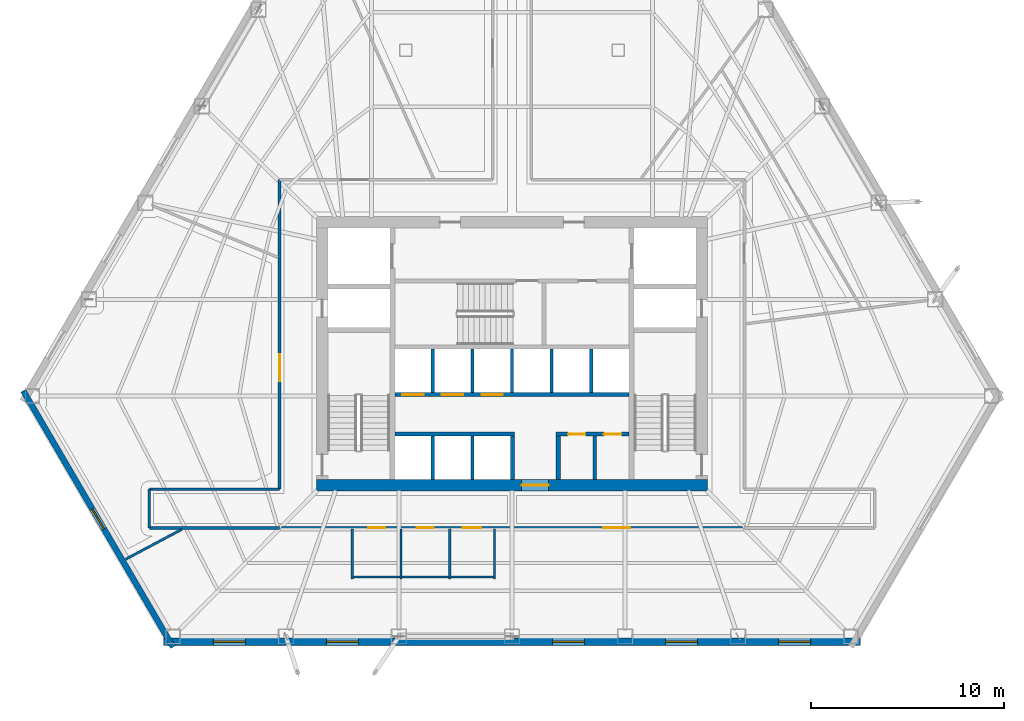
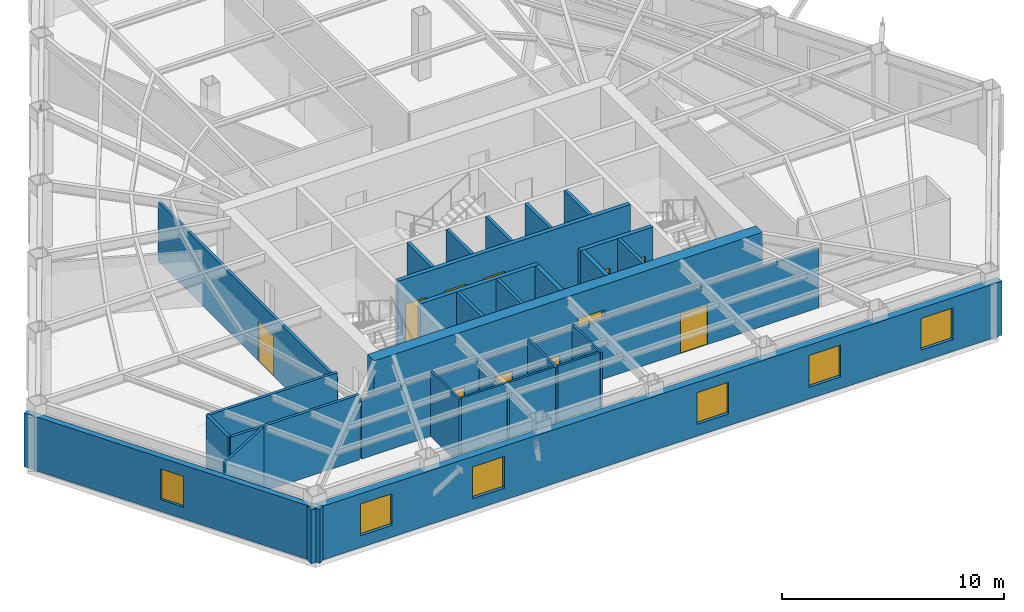
# One storey, part 7 of 13: 27 walls, 11 doors, 6 windows, 17 openings.
"""IFC4 building model written with IfcOpenShell, lengths in metres."""

from ifc_helpers import new_model, si_unit, direction, frame, frame_2d, origin, place, context, subcontext, project, spatial, rectangle, extrude, material, layer, layer_set, type_object, element, fill, save


model = new_model("IFC4")

# Units and contexts
model_context = context("Model", 3, precision=1e-05, world=origin(), true_north=direction((0.0, 1.0)))
body_context = subcontext(model_context, "Body", "Model", "MODEL_VIEW")
ifc_project = project(units=[si_unit("LENGTHUNIT", "METRE"), si_unit("AREAUNIT", "SQUARE_METRE"), si_unit("VOLUMEUNIT", "CUBIC_METRE"), si_unit("PLANEANGLEUNIT", "RADIAN"), si_unit("MASSUNIT", "GRAM", prefix="KILO")], contexts=[model_context])

# Site, building, storey
site_placement = place(None, origin())
site = spatial("IfcSite", under=ifc_project, at=site_placement, CompositionType="ELEMENT")
building_placement = place(site_placement, origin())
building = spatial("IfcBuilding", under=site, at=building_placement, Name="Kavelnor Concourse Tower", CompositionType="ELEMENT")
storey_placement = place(building_placement, frame((0.0, 0.0, 59.89990234375)))
storey = spatial("IfcBuildingStorey", under=building, at=storey_placement, Name="L15", CompositionType="ELEMENT", Elevation=59.89990234375)

# Wall, opening, door
ifc_material_1 = material(Name="Concrete C60/75", Category="concrete")
ifc_layer_1 = layer(ifc_material_1, 0.60009765625, Name="Concrete C60/75")
ifc_layer_set_1 = layer_set([ifc_layer_1], Name="Concrete C60/75")
wall_type_1 = type_object("IfcWallType", Name="WL-CORE-Z1-600", PredefinedType="SOLIDWALL", material=ifc_layer_set_1)
wall_1_placement = place(storey_placement, frame((27.8798828125, 9.300048828125, 0.0), z_axis=(0.0, 0.0, 1.0), x_axis=(1.0, 0.0, 0.0)))
wall_1 = element("IfcWall", 1, at=wall_1_placement, inside=storey, type_object=wall_type_1, Name="L15 Central Core South Shear Wall", PredefinedType="SOLIDWALL", context=body_context, shape_type="SweptSolid", body=[
    extrude(rectangle(XDim=20.240234375, YDim=0.60009765625, at=frame_2d((10.1201171875, 0.0))), origin(), (0.0, 0.0, 1.0), 3.590087890625),
])
opening_1_placement = place(wall_1_placement, frame((10.6201171875, 0.0, 0.0)))
opening_1 = element("IfcOpeningElement", 2, at=opening_1_placement, cuts=wall_1, Name="Opening SD-140", PredefinedType="OPENING", context=body_context, shape_type="SweptSolid", body=[
    extrude(rectangle(XDim=1.39990234375, YDim=2.199951171875, at=frame_2d((0.699951171875, 1.10009765625))), frame((0.0, 0.31005859375, 0.0), z_axis=(0.0, -1.0, 0.0), x_axis=(1.0, 0.0, 0.0)), (0.0, 0.0, 1.0), 0.6201171875),
])
ifc_material_2 = material(Name="Solid-core hardwood timber", Category="wood")
door_type_1 = type_object("IfcDoorType", Name="DR-SUITE-ENTRY-1400", OperationType="NOTDEFINED", PredefinedType="DOOR", material=ifc_material_2)
door_1_placement = place(opening_1_placement, origin())
door_1 = element("IfcDoor", 3, at=door_1_placement, inside=storey, type_object=door_type_1, Name="L15 Passenger Lift Lobby Entry Door", OperationType="SINGLE_SWING_RIGHT", OverallHeight=2.199951171875, OverallWidth=1.39990234375, PredefinedType="DOOR", context=body_context, shape_type="SweptSolid", body=[
    extrude(rectangle(XDim=1.39990234375, YDim=2.199951171875, at=frame_2d((0.699951171875, 1.10009765625))), frame((0.0, 0.02490234375, 0.0), z_axis=(0.0, -1.0, 0.0), x_axis=(1.0, 0.0, 0.0)), (0.0, 0.0, 1.0), 0.050048828125),
])
fill(opening_1, door_1)

# Wall, opening, window
ifc_material_3 = material(Name="Buff ironspot clay face brick masonry", Category="masonry")
ifc_layer_2 = layer(ifc_material_3, 0.300048828125, Name="Buff ironspot clay face brick masonry")
ifc_layer_set_2 = layer_set([ifc_layer_2], Name="Buff ironspot clay face brick masonry")
wall_type_2 = type_object("IfcWallType", Name="WL-EXT-BUFF-BRICK-FOLD-300", PredefinedType="STANDARD", material=ifc_layer_set_2)
wall_2_placement = place(storey_placement, frame((20.474853515625, 0.935791015625, 0.0), z_axis=(0.0, 0.0, 1.0), x_axis=(-0.504699139316, 0.863295302184, 0.0)))
wall_2 = element("IfcWall", 4, at=wall_2_placement, inside=storey, type_object=wall_type_2, Name="L15 Exterior Brick Facade Wall E2", PredefinedType="STANDARD", context=body_context, shape_type="SweptSolid", body=[
    extrude(rectangle(XDim=15.356689453125, YDim=0.300048828125, at=frame_2d((7.67822265625, 0.0))), origin(), (0.0, 0.0, 1.0), 2.97021484375),
])
opening_2_placement = place(wall_2_placement, frame((7.078369140625, 0.0, 0.64990234375)))
opening_2 = element("IfcOpeningElement", 5, at=opening_2_placement, cuts=wall_2, Name="Opening W-05", PredefinedType="OPENING", context=body_context, shape_type="SweptSolid", body=[
    extrude(rectangle(XDim=1.199951171875, YDim=1.699951171875, at=frame_2d((0.60009765625, 0.85009765625))), frame((0.0, 0.16015625, 0.0), z_axis=(0.0, -1.0, 0.0), x_axis=(1.0, 0.0, 0.0)), (0.0, 0.0, 1.0), 0.320068359375),
])
ifc_material_4 = material(Name="Double low-E argon insulated glazing", Category="glass")
window_type_1 = type_object("IfcWindowType", Name="WIN-FOLD-1200", PartitioningType="SINGLE_PANEL", PredefinedType="WINDOW", material=ifc_material_4)
window_1_placement = place(opening_2_placement, origin())
window_1 = element("IfcWindow", 6, at=window_1_placement, inside=storey, type_object=window_type_1, Name="L15 Chamfer-Fold Facet Window C1", OverallHeight=1.699951171875, OverallWidth=1.199951171875, PartitioningType="SINGLE_PANEL", PredefinedType="WINDOW", context=body_context, shape_type="SweptSolid", body=[
    extrude(rectangle(XDim=1.199951171875, YDim=1.699951171875, at=frame_2d((0.60009765625, 0.85009765625))), frame((0.0, 0.030029296875, 0.0), z_axis=(0.0, -1.0, 0.0), x_axis=(1.0, 0.0, 0.0)), (0.0, 0.0, 1.0), 0.06005859375),
])
fill(opening_2, window_1)

# Wall, openings, windows
ifc_material_5 = material(Name="Red-ochre clay face brick masonry", Category="masonry")
ifc_layer_3 = layer(ifc_material_5, 0.3798828125, Name="Red-ochre clay face brick masonry")
ifc_layer_set_3 = layer_set([ifc_layer_3], Name="Red-ochre clay face brick masonry")
wall_type_3 = type_object("IfcWallType", Name="WL-EXT-RED-BRICK-PIER-380", PredefinedType="STANDARD", material=ifc_layer_set_3)
wall_3_placement = place(storey_placement, frame((56.00732421875, 1.21240234375, 0.0), z_axis=(0.0, 0.0, 1.0), x_axis=(-1.0, 0.0, 0.0)))
wall_3 = element("IfcWall", 7, at=wall_3_placement, inside=storey, type_object=wall_type_3, Name="L15 Exterior Brick Facade Wall E3", PredefinedType="STANDARD", context=body_context, shape_type="SweptSolid", body=[
    extrude(rectangle(XDim=36.0146484375, YDim=0.3798828125, at=frame_2d((18.00732421875, 0.0))), origin(), (0.0, 0.0, 1.0), 2.97021484375),
])
opening_3_placement = place(wall_3_placement, frame((31.79248046875, 0.0, 0.64990234375)))
opening_3 = element("IfcOpeningElement", 8, at=opening_3_placement, cuts=wall_3, Name="Opening W-01", PredefinedType="OPENING", context=body_context, shape_type="SweptSolid", body=[
    extrude(rectangle(XDim=1.64990234375, YDim=1.75, at=frame_2d((0.824951171875, 0.875))), frame((0.0, 0.199951171875, 0.0), z_axis=(0.0, -1.0, 0.0), x_axis=(1.0, 0.0, 0.0)), (0.0, 0.0, 1.0), 0.39990234375),
])
opening_4_placement = place(wall_3_placement, frame((25.948486328125, 0.0, 0.64990234375)))
opening_4 = element("IfcOpeningElement", 9, at=opening_4_placement, cuts=wall_3, Name="Opening W-01", PredefinedType="OPENING", context=body_context, shape_type="SweptSolid", body=[
    extrude(rectangle(XDim=1.64990234375, YDim=1.75, at=frame_2d((0.824951171875, 0.875))), frame((0.0, 0.199951171875, 0.0), z_axis=(0.0, -1.0, 0.0), x_axis=(1.0, 0.0, 0.0)), (0.0, 0.0, 1.0), 0.39990234375),
])
opening_5_placement = place(wall_3_placement, frame((14.260498046875, 0.0, 0.64990234375)))
opening_5 = element("IfcOpeningElement", 10, at=opening_5_placement, cuts=wall_3, Name="Opening W-01", PredefinedType="OPENING", context=body_context, shape_type="SweptSolid", body=[
    extrude(rectangle(XDim=1.64990234375, YDim=1.75, at=frame_2d((0.824951171875, 0.875))), frame((0.0, 0.199951171875, 0.0), z_axis=(0.0, -1.0, 0.0), x_axis=(1.0, 0.0, 0.0)), (0.0, 0.0, 1.0), 0.39990234375),
])
opening_6_placement = place(wall_3_placement, frame((8.41650390625, 0.0, 0.64990234375)))
opening_6 = element("IfcOpeningElement", 11, at=opening_6_placement, cuts=wall_3, Name="Opening W-01", PredefinedType="OPENING", context=body_context, shape_type="SweptSolid", body=[
    extrude(rectangle(XDim=1.64990234375, YDim=1.75, at=frame_2d((0.824951171875, 0.875))), frame((0.0, 0.199951171875, 0.0), z_axis=(0.0, -1.0, 0.0), x_axis=(1.0, 0.0, 0.0)), (0.0, 0.0, 1.0), 0.39990234375),
])
opening_7_placement = place(wall_3_placement, frame((2.572509765625, 0.0, 0.64990234375)))
opening_7 = element("IfcOpeningElement", 12, at=opening_7_placement, cuts=wall_3, Name="Opening W-01", PredefinedType="OPENING", context=body_context, shape_type="SweptSolid", body=[
    extrude(rectangle(XDim=1.64990234375, YDim=1.75, at=frame_2d((0.824951171875, 0.875))), frame((0.0, 0.199951171875, 0.0), z_axis=(0.0, -1.0, 0.0), x_axis=(1.0, 0.0, 0.0)), (0.0, 0.0, 1.0), 0.39990234375),
])
window_type_2 = type_object("IfcWindowType", Name="WIN-PIER-Z1-1800", PartitioningType="SINGLE_PANEL", PredefinedType="WINDOW", material=ifc_material_4)
window_2_placement = place(opening_3_placement, origin())
window_2 = element("IfcWindow", 13, at=window_2_placement, inside=storey, type_object=window_type_2, Name="L15 Deep-Set Brick Pier Window F1-B0", OverallHeight=1.75, OverallWidth=1.64990234375, PartitioningType="SINGLE_PANEL", PredefinedType="WINDOW", context=body_context, shape_type="SweptSolid", body=[
    extrude(rectangle(XDim=1.64990234375, YDim=1.75, at=frame_2d((0.824951171875, 0.875))), frame((0.0, 0.030029296875, 0.0), z_axis=(0.0, -1.0, 0.0), x_axis=(1.0, 0.0, 0.0)), (0.0, 0.0, 1.0), 0.06005859375),
])
fill(opening_3, window_2)
window_3_placement = place(opening_4_placement, origin())
window_3 = element("IfcWindow", 14, at=window_3_placement, inside=storey, type_object=window_type_2, Name="L15 Deep-Set Brick Pier Window F1-B1", OverallHeight=1.75, OverallWidth=1.64990234375, PartitioningType="SINGLE_PANEL", PredefinedType="WINDOW", context=body_context, shape_type="SweptSolid", body=[
    extrude(rectangle(XDim=1.64990234375, YDim=1.75, at=frame_2d((0.824951171875, 0.875))), frame((0.0, 0.030029296875, 0.0), z_axis=(0.0, -1.0, 0.0), x_axis=(1.0, 0.0, 0.0)), (0.0, 0.0, 1.0), 0.06005859375),
])
fill(opening_4, window_3)
window_4_placement = place(opening_5_placement, origin())
window_4 = element("IfcWindow", 15, at=window_4_placement, inside=storey, type_object=window_type_2, Name="L15 Deep-Set Brick Pier Window F1-B3", OverallHeight=1.75, OverallWidth=1.64990234375, PartitioningType="SINGLE_PANEL", PredefinedType="WINDOW", context=body_context, shape_type="SweptSolid", body=[
    extrude(rectangle(XDim=1.64990234375, YDim=1.75, at=frame_2d((0.824951171875, 0.875))), frame((0.0, 0.030029296875, 0.0), z_axis=(0.0, -1.0, 0.0), x_axis=(1.0, 0.0, 0.0)), (0.0, 0.0, 1.0), 0.06005859375),
])
fill(opening_5, window_4)
window_5_placement = place(opening_6_placement, origin())
window_5 = element("IfcWindow", 16, at=window_5_placement, inside=storey, type_object=window_type_2, Name="L15 Deep-Set Brick Pier Window F1-B4", OverallHeight=1.75, OverallWidth=1.64990234375, PartitioningType="SINGLE_PANEL", PredefinedType="WINDOW", context=body_context, shape_type="SweptSolid", body=[
    extrude(rectangle(XDim=1.64990234375, YDim=1.75, at=frame_2d((0.824951171875, 0.875))), frame((0.0, 0.030029296875, 0.0), z_axis=(0.0, -1.0, 0.0), x_axis=(1.0, 0.0, 0.0)), (0.0, 0.0, 1.0), 0.06005859375),
])
fill(opening_6, window_5)
window_6_placement = place(opening_7_placement, origin())
window_6 = element("IfcWindow", 17, at=window_6_placement, inside=storey, type_object=window_type_2, Name="L15 Deep-Set Brick Pier Window F1-B5", OverallHeight=1.75, OverallWidth=1.64990234375, PartitioningType="SINGLE_PANEL", PredefinedType="WINDOW", context=body_context, shape_type="SweptSolid", body=[
    extrude(rectangle(XDim=1.64990234375, YDim=1.75, at=frame_2d((0.824951171875, 0.875))), frame((0.0, 0.030029296875, 0.0), z_axis=(0.0, -1.0, 0.0), x_axis=(1.0, 0.0, 0.0)), (0.0, 0.0, 1.0), 0.06005859375),
])
fill(opening_7, window_6)

# Wall
ifc_material_6 = material(Name="Gypsum plasterboard on light-gauge steel studs", Category="steel")
ifc_layer_4 = layer(ifc_material_6, 0.14501953125, Name="Gypsum plasterboard on light-gauge steel studs")
ifc_layer_set_4 = layer_set([ifc_layer_4], Name="Gypsum plasterboard on light-gauge steel studs")
wall_type_4 = type_object("IfcWallType", Name="WL-INT-CORR-145", PredefinedType="PARTITIONING", material=ifc_layer_set_4)
wall_4_placement = place(storey_placement, frame((19.246337890625, 9.10009765625, 0.0), z_axis=(0.0, 0.0, 1.0), x_axis=(1.0, 0.0, 0.0)))
element("IfcWall", 18, at=wall_4_placement, inside=storey, type_object=wall_type_4, Name="L15 Corridor Wall WL-L15-CR-01", PredefinedType="PARTITIONING", context=body_context, shape_type="SweptSolid", body=[
    extrude(rectangle(XDim=6.733642578125, YDim=0.14501953125, at=frame_2d((3.36669921875, 0.0))), origin(), (0.0, 0.0, 1.0), 3.590087890625),
])

# Wall, opening, door
wall_5_placement = place(storey_placement, frame((25.97998046875, 9.10009765625, 0.0), z_axis=(0.0, 0.0, 1.0), x_axis=(0.0, 1.0, 0.0)))
wall_5 = element("IfcWall", 19, at=wall_5_placement, inside=storey, type_object=wall_type_4, Name="L15 Corridor Wall WL-L15-CR-02", PredefinedType="PARTITIONING", context=body_context, shape_type="SweptSolid", body=[
    extrude(rectangle(XDim=16.0, YDim=0.14501953125, at=frame_2d((8.0, 0.0))), origin(), (0.0, 0.0, 1.0), 3.278076171875),
])
opening_8_placement = place(wall_5_placement, frame((5.574951171875, 0.0, 0.0)))
opening_8 = element("IfcOpeningElement", 20, at=opening_8_placement, cuts=wall_5, Name="Opening SD-140", PredefinedType="OPENING", context=body_context, shape_type="SweptSolid", body=[
    extrude(rectangle(XDim=1.39990234375, YDim=2.199951171875, at=frame_2d((0.699951171875, 1.10009765625))), frame((0.0, 0.08251953125, 0.0), z_axis=(0.0, -1.0, 0.0), x_axis=(1.0, 0.0, 0.0)), (0.0, 0.0, 1.0), 0.1650390625),
])
door_2_placement = place(opening_8_placement, origin())
door_2 = element("IfcDoor", 21, at=door_2_placement, inside=storey, type_object=door_type_1, Name="L15 Architectural Design Studio 05 Door", OperationType="SINGLE_SWING_LEFT", OverallHeight=2.199951171875, OverallWidth=1.39990234375, PredefinedType="DOOR", context=body_context, shape_type="SweptSolid", body=[
    extrude(rectangle(XDim=1.39990234375, YDim=2.199951171875, at=frame_2d((0.699951171875, 1.10009765625))), frame((0.0, 0.02490234375, 0.0), z_axis=(0.0, -1.0, 0.0), x_axis=(1.0, 0.0, 0.0)), (0.0, 0.0, 1.0), 0.050048828125),
])
fill(opening_8, door_2)

# Wall, openings, doors
wall_6_placement = place(storey_placement, frame((49.919921875, 7.10009765625, 0.0), z_axis=(0.0, 0.0, 1.0), x_axis=(-1.0, 0.0, 0.0)))
wall_6 = element("IfcWall", 22, at=wall_6_placement, inside=storey, type_object=wall_type_4, Name="L15 Corridor Wall WL-L15-CR-12", PredefinedType="PARTITIONING", context=body_context, shape_type="SweptSolid", body=[
    extrude(rectangle(XDim=23.83984375, YDim=0.14501953125, at=frame_2d((11.919921875, 0.0))), origin(), (0.0, 0.0, 1.0), 3.278076171875),
])
opening_9_placement = place(wall_6_placement, frame((18.47998046875, 0.0, 0.0)))
opening_9 = element("IfcOpeningElement", 23, at=opening_9_placement, cuts=wall_6, Name="Opening WD-088", PredefinedType="OPENING", context=body_context, shape_type="SweptSolid", body=[
    extrude(rectangle(XDim=0.8798828125, YDim=2.10009765625, at=frame_2d((0.43994140625, 1.050048828125))), frame((0.0, 0.08251953125, 0.0), z_axis=(0.0, -1.0, 0.0), x_axis=(1.0, 0.0, 0.0)), (0.0, 0.0, 1.0), 0.1650390625),
])
opening_10_placement = place(wall_6_placement, frame((15.9599609375, 0.0, 0.0)))
opening_10 = element("IfcOpeningElement", 24, at=opening_10_placement, cuts=wall_6, Name="Opening WD-088", PredefinedType="OPENING", context=body_context, shape_type="SweptSolid", body=[
    extrude(rectangle(XDim=0.8798828125, YDim=2.10009765625, at=frame_2d((0.43994140625, 1.050048828125))), frame((0.0, 0.08251953125, 0.0), z_axis=(0.0, -1.0, 0.0), x_axis=(1.0, 0.0, 0.0)), (0.0, 0.0, 1.0), 0.1650390625),
])
opening_11_placement = place(wall_6_placement, frame((13.5, 0.0, 0.0)))
opening_11 = element("IfcOpeningElement", 25, at=opening_11_placement, cuts=wall_6, Name="Opening WD-096", PredefinedType="OPENING", context=body_context, shape_type="SweptSolid", body=[
    extrude(rectangle(XDim=0.9599609375, YDim=2.10009765625, at=frame_2d((0.47998046875, 1.050048828125))), frame((0.0, 0.08251953125, 0.0), z_axis=(0.0, -1.0, 0.0), x_axis=(1.0, 0.0, 0.0)), (0.0, 0.0, 1.0), 0.1650390625),
])
opening_12_placement = place(wall_6_placement, frame((5.800537109375, 0.0, 0.0)))
opening_12 = element("IfcOpeningElement", 26, at=opening_12_placement, cuts=wall_6, Name="Opening SD-140", PredefinedType="OPENING", context=body_context, shape_type="SweptSolid", body=[
    extrude(rectangle(XDim=1.39990234375, YDim=2.199951171875, at=frame_2d((0.699951171875, 1.10009765625))), frame((0.0, 0.08251953125, 0.0), z_axis=(0.0, -1.0, 0.0), x_axis=(1.0, 0.0, 0.0)), (0.0, 0.0, 1.0), 0.1650390625),
])
door_3_placement = place(opening_12_placement, origin())
door_3 = element("IfcDoor", 27, at=door_3_placement, inside=storey, type_object=door_type_1, Name="L15 Architectural Design Studio 06 Door", OperationType="SINGLE_SWING_RIGHT", OverallHeight=2.199951171875, OverallWidth=1.39990234375, PredefinedType="DOOR", context=body_context, shape_type="SweptSolid", body=[
    extrude(rectangle(XDim=1.39990234375, YDim=2.199951171875, at=frame_2d((0.699951171875, 1.10009765625))), frame((0.0, 0.02490234375, 0.0), z_axis=(0.0, -1.0, 0.0), x_axis=(1.0, 0.0, 0.0)), (0.0, 0.0, 1.0), 0.050048828125),
])
fill(opening_12, door_3)
door_type_2 = type_object("IfcDoorType", Name="DR-WC-ACC-960", OperationType="NOTDEFINED", PredefinedType="DOOR", material=ifc_material_2)
door_4_placement = place(opening_11_placement, origin())
door_4 = element("IfcDoor", 28, at=door_4_placement, inside=storey, type_object=door_type_2, Name="L15 Accessible WC Door", OperationType="SINGLE_SWING_LEFT", OverallHeight=2.10009765625, OverallWidth=0.9599609375, PredefinedType="DOOR", context=body_context, shape_type="SweptSolid", body=[
    extrude(rectangle(XDim=0.9599609375, YDim=2.10009765625, at=frame_2d((0.47998046875, 1.050048828125))), frame((0.0, 0.02490234375, 0.0), z_axis=(0.0, -1.0, 0.0), x_axis=(1.0, 0.0, 0.0)), (0.0, 0.0, 1.0), 0.050048828125),
])
fill(opening_11, door_4)
door_type_3 = type_object("IfcDoorType", Name="DR-WC-STD-880", OperationType="NOTDEFINED", PredefinedType="DOOR", material=ifc_material_2)
door_5_placement = place(opening_9_placement, origin())
door_5 = element("IfcDoor", 29, at=door_5_placement, inside=storey, type_object=door_type_3, Name="L15 Male WC Door", OperationType="SINGLE_SWING_LEFT", OverallHeight=2.10009765625, OverallWidth=0.8798828125, PredefinedType="DOOR", context=body_context, shape_type="SweptSolid", body=[
    extrude(rectangle(XDim=0.8798828125, YDim=2.10009765625, at=frame_2d((0.43994140625, 1.050048828125))), frame((0.0, 0.02490234375, 0.0), z_axis=(0.0, -1.0, 0.0), x_axis=(1.0, 0.0, 0.0)), (0.0, 0.0, 1.0), 0.050048828125),
])
fill(opening_9, door_5)
door_6_placement = place(opening_10_placement, origin())
door_6 = element("IfcDoor", 30, at=door_6_placement, inside=storey, type_object=door_type_3, Name="L15 Female WC Door", OperationType="SINGLE_SWING_RIGHT", OverallHeight=2.10009765625, OverallWidth=0.8798828125, PredefinedType="DOOR", context=body_context, shape_type="SweptSolid", body=[
    extrude(rectangle(XDim=0.8798828125, YDim=2.10009765625, at=frame_2d((0.43994140625, 1.050048828125))), frame((0.0, 0.02490234375, 0.0), z_axis=(0.0, -1.0, 0.0), x_axis=(1.0, 0.0, 0.0)), (0.0, 0.0, 1.0), 0.050048828125),
])
fill(opening_10, door_6)

# Walls
wall_7_placement = place(storey_placement, frame((25.97998046875, 7.10009765625, 0.0), z_axis=(0.0, 0.0, 1.0), x_axis=(-1.0, 0.0, 0.0)))
element("IfcWall", 31, at=wall_7_placement, inside=storey, type_object=wall_type_4, Name="L15 Corridor Wall WL-L15-CR-13", PredefinedType="PARTITIONING", context=body_context, shape_type="SweptSolid", body=[
    extrude(rectangle(XDim=6.733642578125, YDim=0.14501953125, at=frame_2d((3.36669921875, 0.0))), origin(), (0.0, 0.0, 1.0), 3.590087890625),
])
wall_8_placement = place(storey_placement, frame((19.246337890625, 7.10009765625, 0.0), z_axis=(0.0, 0.0, 1.0), x_axis=(0.0, 1.0, 0.0)))
element("IfcWall", 32, at=wall_8_placement, inside=storey, type_object=wall_type_4, Name="L15 Corridor Wall WL-L15-CR-14", PredefinedType="PARTITIONING", context=body_context, shape_type="SweptSolid", body=[
    extrude(rectangle(XDim=2.0, YDim=0.14501953125, at=frame_2d((1.0, 0.0))), origin(), (0.0, 0.0, 1.0), 3.590087890625),
])
ifc_layer_5 = layer(ifc_material_6, 0.1650390625, Name="Gypsum plasterboard on light-gauge steel studs")
ifc_layer_set_5 = layer_set([ifc_layer_5], Name="Gypsum plasterboard on light-gauge steel studs")
wall_type_5 = type_object("IfcWallType", Name="WL-INT-FIRE-165", PredefinedType="PARTITIONING", material=ifc_layer_set_5)
for number, where, z_axis, x_axis, name in (
    (33, (33.89990234375, 9.60009765625, 0.0), (0.0, 0.0, 1.0), (0.0, 1.0, 0.0), "L15 Lift Shaft Divider LP7"),
    (34, (35.949951171875, 9.60009765625, 0.0), (0.0, 0.0, 1.0), (0.0, 1.0, 0.0), "L15 Lift Shaft Divider LP8"),
    (35, (33.89990234375, 14.10009765625, 0.0), (0.0, 0.0, 1.0), (0.0, 1.0, 0.0), "L15 Lift Shaft Divider LP1"),
    (36, (35.949951171875, 14.10009765625, 0.0), (0.0, 0.0, 1.0), (0.0, 1.0, 0.0), "L15 Lift Shaft Divider LP2"),
    (37, (38.0, 14.10009765625, 0.0), (0.0, 0.0, 1.0), (0.0, 1.0, 0.0), "L15 Lift Shaft Divider LP3"),
    (38, (40.050048828125, 14.10009765625, 0.0), (0.0, 0.0, 1.0), (0.0, 1.0, 0.0), "L15 Lift Shaft Divider LP4"),
    (39, (42.10009765625, 14.10009765625, 0.0), (0.0, 0.0, 1.0), (0.0, 1.0, 0.0), "L15 Lift Shaft Divider LP5"),
    (40, (42.280029296875, 9.60009765625, 0.0), (0.0, 0.0, 1.0), (0.0, 1.0, 0.0), "L15 Core Support Divider"),
):
    element("IfcWall", number, at=place(storey_placement, frame(where, z_axis=z_axis, x_axis=x_axis)), inside=storey, type_object=wall_type_5, Name=name, PredefinedType="PARTITIONING", context=body_context, shape_type="SweptSolid", body=[
        extrude(rectangle(XDim=2.239990234375, YDim=0.1650390625, at=frame_2d((1.1201171875, 0.0))), origin(), (0.0, 0.0, 1.0), 3.590087890625),
    ])
ifc_layer_6 = layer(ifc_material_6, 0.125, Name="Gypsum plasterboard on light-gauge steel studs")
ifc_layer_set_6 = layer_set([ifc_layer_6], Name="Gypsum plasterboard on light-gauge steel studs")
wall_type_6 = type_object("IfcWallType", Name="WL-INT-SUITE-125", PredefinedType="PARTITIONING", material=ifc_layer_set_6)
wall_9_placement = place(storey_placement, frame((20.922119140625, 7.01953125, 0.0), z_axis=(0.0, 0.0, 1.0), x_axis=(-0.88293664267, -0.469492156517, 0.0)))
element("IfcWall", 41, at=wall_9_placement, inside=storey, type_object=wall_type_6, Name="L15 Radial Suite Partition 05", PredefinedType="PARTITIONING", context=body_context, shape_type="SweptSolid", body=[
    extrude(rectangle(XDim=3.284423828125, YDim=0.125, at=frame_2d((1.64208984375, 0.0))), origin(), (0.0, 0.0, 1.0), 3.590087890625),
])
ifc_layer_7 = layer(ifc_material_6, 0.110107421875, Name="Gypsum plasterboard on light-gauge steel studs")
ifc_layer_set_7 = layer_set([ifc_layer_7], Name="Gypsum plasterboard on light-gauge steel studs")
wall_type_7 = type_object("IfcWallType", Name="WL-INT-WC-110", PredefinedType="PLUMBINGWALL", material=ifc_layer_set_7)
wall_10_placement = place(storey_placement, frame((29.739990234375, 4.449951171875, 0.0), z_axis=(0.0, 0.0, 1.0), x_axis=(0.0, 1.0, 0.0)))
element("IfcWall", 42, at=wall_10_placement, inside=storey, type_object=wall_type_7, Name="L15 Sanitary Partition WL-L15-WC-W", PredefinedType="PLUMBINGWALL", context=body_context, shape_type="SweptSolid", body=[
    extrude(rectangle(XDim=2.580078125, YDim=0.110107421875, at=frame_2d((1.2900390625, 0.0))), origin(), (0.0, 0.0, 1.0), 3.590087890625),
])
wall_11_placement = place(storey_placement, frame((32.260009765625, 4.449951171875, 0.0), z_axis=(0.0, 0.0, 1.0), x_axis=(0.0, 1.0, 0.0)))
element("IfcWall", 43, at=wall_11_placement, inside=storey, type_object=wall_type_7, Name="L15 Sanitary Partition WL-L15-WC-D1", PredefinedType="PLUMBINGWALL", context=body_context, shape_type="SweptSolid", body=[
    extrude(rectangle(XDim=2.580078125, YDim=0.110107421875, at=frame_2d((1.2900390625, 0.0))), origin(), (0.0, 0.0, 1.0), 3.05712890625),
])
for number, where, z_axis, x_axis, name in (
    (44, (34.780029296875, 4.449951171875, 0.0), (0.0, 0.0, 1.0), (0.0, 1.0, 0.0), "L15 Sanitary Partition WL-L15-WC-D2"),
    (45, (37.10009765625, 4.449951171875, 0.0), (0.0, 0.0, 1.0), (0.0, 1.0, 0.0), "L15 Sanitary Partition WL-L15-WC-E"),
):
    element("IfcWall", number, at=place(storey_placement, frame(where, z_axis=z_axis, x_axis=x_axis)), inside=storey, type_object=wall_type_7, Name=name, PredefinedType="PLUMBINGWALL", context=body_context, shape_type="SweptSolid", body=[
        extrude(rectangle(XDim=2.580078125, YDim=0.110107421875, at=frame_2d((1.2900390625, 0.0))), origin(), (0.0, 0.0, 1.0), 3.590087890625),
    ])
wall_12_placement = place(storey_placement, frame((29.68994140625, 4.550048828125, 0.0), z_axis=(0.0, 0.0, 1.0), x_axis=(1.0, 0.0, 0.0)))
element("IfcWall", 46, at=wall_12_placement, inside=storey, type_object=wall_type_7, Name="L15 Sanitary Partition WL-L15-WC-S", PredefinedType="PLUMBINGWALL", context=body_context, shape_type="SweptSolid", body=[
    extrude(rectangle(XDim=7.4599609375, YDim=0.110107421875, at=frame_2d((3.72998046875, 0.0))), origin(), (0.0, 0.0, 1.0), 3.590087890625),
])

# Wall, openings, doors
ifc_material_7 = material(Name="Concrete C50/60", Category="concrete")
ifc_layer_8 = layer(ifc_material_7, 0.219970703125, Name="Concrete C50/60")
ifc_layer_set_8 = layer_set([ifc_layer_8], Name="Concrete C50/60")
wall_type_8 = type_object("IfcWallType", Name="WL-SHAFT-220", PredefinedType="SOLIDWALL", material=ifc_layer_set_8)
wall_13_placement = place(storey_placement, frame((31.93994140625, 13.989990234375, 0.0), z_axis=(0.0, 0.0, 1.0), x_axis=(1.0, 0.0, 0.0)))
wall_13 = element("IfcWall", 47, at=wall_13_placement, inside=storey, type_object=wall_type_8, Name="L15 North Lift Row Shaft Wall", PredefinedType="SOLIDWALL", context=body_context, shape_type="SweptSolid", body=[
    extrude(rectangle(XDim=12.1201171875, YDim=0.219970703125, at=frame_2d((6.06005859375, 0.0))), origin(), (0.0, 0.0, 1.0), 3.590087890625),
])
opening_13_placement = place(wall_13_placement, frame((0.385009765625, 0.0, 0.0)))
opening_13 = element("IfcOpeningElement", 48, at=opening_13_placement, cuts=wall_13, Name="Opening LD-110", PredefinedType="OPENING", context=body_context, shape_type="SweptSolid", body=[
    extrude(rectangle(XDim=1.10009765625, YDim=2.199951171875, at=frame_2d((0.550048828125, 1.10009765625))), frame((0.0, 0.1201171875, 0.0), z_axis=(0.0, -1.0, 0.0), x_axis=(1.0, 0.0, 0.0)), (0.0, 0.0, 1.0), 0.239990234375),
])
opening_14_placement = place(wall_13_placement, frame((2.43505859375, 0.0, 0.0)))
opening_14 = element("IfcOpeningElement", 49, at=opening_14_placement, cuts=wall_13, Name="Opening LD-110", PredefinedType="OPENING", context=body_context, shape_type="SweptSolid", body=[
    extrude(rectangle(XDim=1.10009765625, YDim=2.199951171875, at=frame_2d((0.550048828125, 1.10009765625))), frame((0.0, 0.1201171875, 0.0), z_axis=(0.0, -1.0, 0.0), x_axis=(1.0, 0.0, 0.0)), (0.0, 0.0, 1.0), 0.239990234375),
])
opening_15_placement = place(wall_13_placement, frame((4.485107421875, 0.0, 0.0)))
opening_15 = element("IfcOpeningElement", 50, at=opening_15_placement, cuts=wall_13, Name="Opening LD-110", PredefinedType="OPENING", context=body_context, shape_type="SweptSolid", body=[
    extrude(rectangle(XDim=1.10009765625, YDim=2.199951171875, at=frame_2d((0.550048828125, 1.10009765625))), frame((0.0, 0.1201171875, 0.0), z_axis=(0.0, -1.0, 0.0), x_axis=(1.0, 0.0, 0.0)), (0.0, 0.0, 1.0), 0.239990234375),
])
ifc_material_8 = material(Name="Steel Grade 350", Category="steel")
door_type_4 = type_object("IfcDoorType", Name="DR-LIFT-SLIDING-1100", OperationType="NOTDEFINED", PredefinedType="DOOR", material=ifc_material_8)
door_7_placement = place(opening_13_placement, origin())
door_7 = element("IfcDoor", 51, at=door_7_placement, inside=storey, type_object=door_type_4, Name="L15 Lift LP1 Landing Door", OperationType="DOUBLE_DOOR_SLIDING", OverallHeight=2.199951171875, OverallWidth=1.10009765625, PredefinedType="DOOR", context=body_context, shape_type="SweptSolid", body=[
    extrude(rectangle(XDim=1.10009765625, YDim=2.199951171875, at=frame_2d((0.550048828125, 1.10009765625))), frame((0.0, 0.02490234375, 0.0), z_axis=(0.0, -1.0, 0.0), x_axis=(1.0, 0.0, 0.0)), (0.0, 0.0, 1.0), 0.050048828125),
])
fill(opening_13, door_7)
door_8_placement = place(opening_14_placement, origin())
door_8 = element("IfcDoor", 52, at=door_8_placement, inside=storey, type_object=door_type_4, Name="L15 Lift LP2 Landing Door", OperationType="DOUBLE_DOOR_SLIDING", OverallHeight=2.199951171875, OverallWidth=1.10009765625, PredefinedType="DOOR", context=body_context, shape_type="SweptSolid", body=[
    extrude(rectangle(XDim=1.10009765625, YDim=2.199951171875, at=frame_2d((0.550048828125, 1.10009765625))), frame((0.0, 0.02490234375, 0.0), z_axis=(0.0, -1.0, 0.0), x_axis=(1.0, 0.0, 0.0)), (0.0, 0.0, 1.0), 0.050048828125),
])
fill(opening_14, door_8)
door_9_placement = place(opening_15_placement, origin())
door_9 = element("IfcDoor", 53, at=door_9_placement, inside=storey, type_object=door_type_4, Name="L15 Lift LP3 Landing Door", OperationType="DOUBLE_DOOR_SLIDING", OverallHeight=2.199951171875, OverallWidth=1.10009765625, PredefinedType="DOOR", context=body_context, shape_type="SweptSolid", body=[
    extrude(rectangle(XDim=1.10009765625, YDim=2.199951171875, at=frame_2d((0.550048828125, 1.10009765625))), frame((0.0, 0.02490234375, 0.0), z_axis=(0.0, -1.0, 0.0), x_axis=(1.0, 0.0, 0.0)), (0.0, 0.0, 1.0), 0.050048828125),
])
fill(opening_15, door_9)

# Wall
wall_14_placement = place(storey_placement, frame((31.93994140625, 11.949951171875, 0.0), z_axis=(0.0, 0.0, 1.0), x_axis=(1.0, 0.0, 0.0)))
element("IfcWall", 54, at=wall_14_placement, inside=storey, type_object=wall_type_8, Name="L15 High-Rise Lift Bank North Wall", PredefinedType="SOLIDWALL", context=body_context, shape_type="SweptSolid", body=[
    extrude(rectangle(XDim=6.18994140625, YDim=0.219970703125, at=frame_2d((3.094970703125, 0.0))), origin(), (0.0, 0.0, 1.0), 3.590087890625),
])

# Wall, openings, doors
wall_15_placement = place(storey_placement, frame((40.280029296875, 11.949951171875, 0.0), z_axis=(0.0, 0.0, 1.0), x_axis=(1.0, 0.0, 0.0)))
wall_15 = element("IfcWall", 55, at=wall_15_placement, inside=storey, type_object=wall_type_8, Name="L15 Core South Support North Wall", PredefinedType="SOLIDWALL", context=body_context, shape_type="SweptSolid", body=[
    extrude(rectangle(XDim=3.780029296875, YDim=0.219970703125, at=frame_2d((1.89013671875, 0.0))), origin(), (0.0, 0.0, 1.0), 3.590087890625),
])
opening_16_placement = place(wall_15_placement, frame((0.6201171875, 0.0, 0.0)))
opening_16 = element("IfcOpeningElement", 56, at=opening_16_placement, cuts=wall_15, Name="Opening FD-090", PredefinedType="OPENING", context=body_context, shape_type="SweptSolid", body=[
    extrude(rectangle(XDim=0.89990234375, YDim=2.10009765625, at=frame_2d((0.449951171875, 1.050048828125))), frame((0.0, 0.1201171875, 0.0), z_axis=(0.0, -1.0, 0.0), x_axis=(1.0, 0.0, 0.0)), (0.0, 0.0, 1.0), 0.239990234375),
])
opening_17_placement = place(wall_15_placement, frame((2.469970703125, 0.0, 0.0)))
opening_17 = element("IfcOpeningElement", 57, at=opening_17_placement, cuts=wall_15, Name="Opening FD-090", PredefinedType="OPENING", context=body_context, shape_type="SweptSolid", body=[
    extrude(rectangle(XDim=0.89990234375, YDim=2.10009765625, at=frame_2d((0.449951171875, 1.050048828125))), frame((0.0, 0.1201171875, 0.0), z_axis=(0.0, -1.0, 0.0), x_axis=(1.0, 0.0, 0.0)), (0.0, 0.0, 1.0), 0.239990234375),
])
door_type_5 = type_object("IfcDoorType", Name="DR-RISER-FIRE-900", OperationType="NOTDEFINED", PredefinedType="DOOR", material=ifc_material_8)
door_10_placement = place(opening_16_placement, origin())
door_10 = element("IfcDoor", 58, at=door_10_placement, inside=storey, type_object=door_type_5, Name="L15 Cleaner Cupboard Door", OperationType="SINGLE_SWING_RIGHT", OverallHeight=2.10009765625, OverallWidth=0.89990234375, PredefinedType="DOOR", context=body_context, shape_type="SweptSolid", body=[
    extrude(rectangle(XDim=0.89990234375, YDim=2.10009765625, at=frame_2d((0.449951171875, 1.050048828125))), frame((0.0, 0.02490234375, 0.0), z_axis=(0.0, -1.0, 0.0), x_axis=(1.0, 0.0, 0.0)), (0.0, 0.0, 1.0), 0.050048828125),
])
fill(opening_16, door_10)
door_11_placement = place(opening_17_placement, origin())
door_11 = element("IfcDoor", 59, at=door_11_placement, inside=storey, type_object=door_type_5, Name="L15 Supplies Store Door", OperationType="SINGLE_SWING_LEFT", OverallHeight=2.10009765625, OverallWidth=0.89990234375, PredefinedType="DOOR", context=body_context, shape_type="SweptSolid", body=[
    extrude(rectangle(XDim=0.89990234375, YDim=2.10009765625, at=frame_2d((0.449951171875, 1.050048828125))), frame((0.0, 0.02490234375, 0.0), z_axis=(0.0, -1.0, 0.0), x_axis=(1.0, 0.0, 0.0)), (0.0, 0.0, 1.0), 0.050048828125),
])
fill(opening_17, door_11)

# Walls
for number, where, z_axis, x_axis, name in (
    (60, (38.02001953125, 9.60009765625, 0.0), (0.0, 0.0, 1.0), (0.0, 1.0, 0.0), "L15 Lift Lobby Throat West Wall"),
    (61, (40.389892578125, 9.60009765625, 0.0), (0.0, 0.0, 1.0), (0.0, 1.0, 0.0), "L15 Lift Lobby Throat East Wall"),
):
    element("IfcWall", number, at=place(storey_placement, frame(where, z_axis=z_axis, x_axis=x_axis)), inside=storey, type_object=wall_type_8, Name=name, PredefinedType="SOLIDWALL", context=body_context, shape_type="SweptSolid", body=[
        extrude(rectangle(XDim=2.239990234375, YDim=0.219970703125, at=frame_2d((1.1201171875, 0.0))), origin(), (0.0, 0.0, 1.0), 3.590087890625),
    ])

save(model, "model.ifc")
